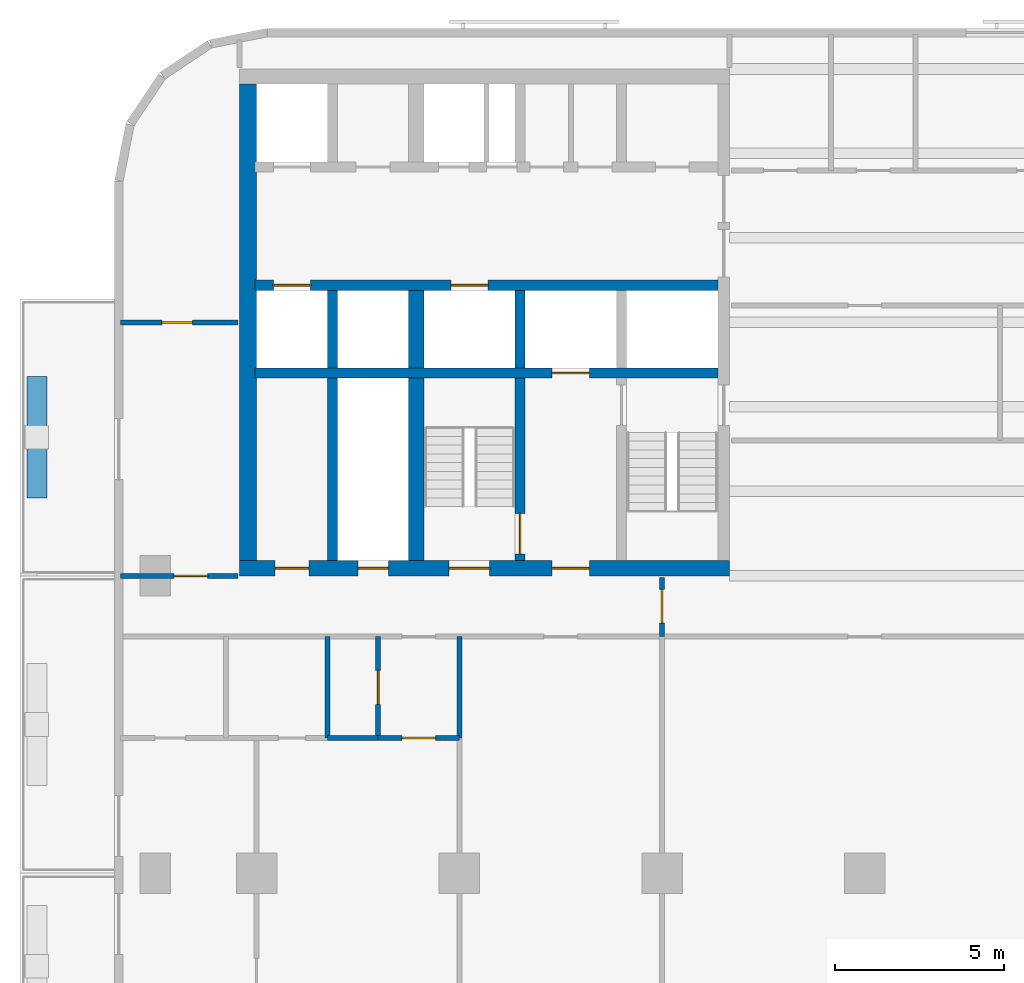
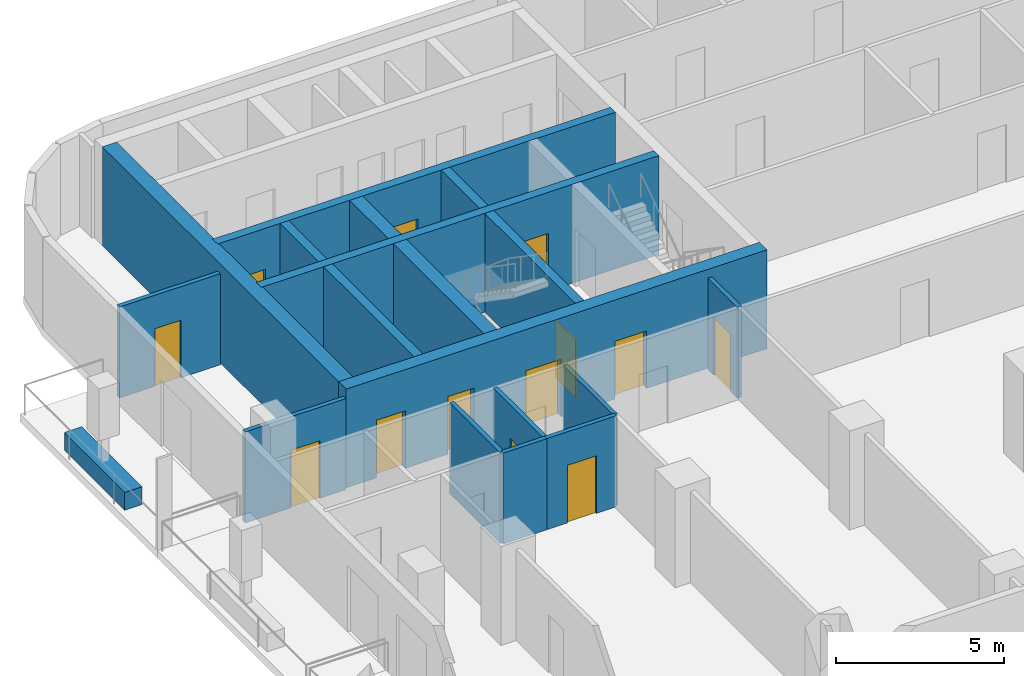
# One storey, part 3 of 11: 19 walls, 13 doors, 13 openings.
"""IFC4 building model written with IfcOpenShell, lengths in metres."""

from ifc_helpers import new_model, si_unit, direction, frame, frame_2d, origin, place, context, subcontext, project, spatial, rectangle, extrude, material, layer, layer_set, type_object, element, fill, save


model = new_model("IFC4")

# Units and contexts
model_context = context("Model", 3, precision=1e-05, world=origin(), true_north=direction((0.0, 1.0)))
body_context = subcontext(model_context, "Body", "Model", "MODEL_VIEW")
ifc_project = project(units=[si_unit("LENGTHUNIT", "METRE"), si_unit("AREAUNIT", "SQUARE_METRE"), si_unit("VOLUMEUNIT", "CUBIC_METRE"), si_unit("PLANEANGLEUNIT", "RADIAN"), si_unit("MASSUNIT", "GRAM", prefix="KILO")], contexts=[model_context])

# Site, building, storey
site_placement = place(None, origin())
site = spatial("IfcSite", under=ifc_project, at=site_placement, CompositionType="ELEMENT")
building_placement = place(site_placement, origin())
building = spatial("IfcBuilding", under=site, at=building_placement, Name="Torana Hotel and Residences", CompositionType="ELEMENT")
storey_placement = place(building_placement, frame((0.0, 0.0, 120.0)))
storey = spatial("IfcBuildingStorey", under=building, at=storey_placement, Name="L30", CompositionType="ELEMENT", Elevation=120.0)

# Wall, openings, doors
ifc_material_1 = material(Name="Concrete C70/85", Category="concrete")
ifc_layer_1 = layer(ifc_material_1, 0.300048828125)
ifc_layer_set_1 = layer_set([ifc_layer_1], Name="CORE WALL 300 C70/85")
wall_type_1 = type_object("IfcWallType", Name="CORE WALL 300 C70/85", PredefinedType="SHEAR", material=ifc_layer_set_1)
wall_1_placement = place(storey_placement, frame((-24.050048828125, -6.39990234375, 0.0), z_axis=(0.0, 0.0, 1.0), x_axis=(1.0, 0.0, 0.0)))
wall_1 = element("IfcWall", 1, at=wall_1_placement, inside=storey, type_object=wall_type_1, Name="Core wall W row-S", PredefinedType="SHEAR", context=body_context, shape_type="SweptSolid", body=[
    extrude(rectangle(XDim=13.699951171875, YDim=0.300048828125, at=frame_2d((6.85009765625, 0.0))), origin(), (0.0, 0.0, 1.0), 3.60009765625),
])
opening_1_placement = place(wall_1_placement, frame((0.550048828125, 0.0, 0.0)))
opening_1 = element("IfcOpeningElement", 2, at=opening_1_placement, cuts=wall_1, Name="Opening LD", PredefinedType="OPENING", context=body_context, shape_type="SweptSolid", body=[
    extrude(rectangle(XDim=1.10009765625, YDim=2.10009765625, at=frame_2d((0.550048828125, 1.050048828125))), frame((0.0, 0.159912109375, 0.0), z_axis=(0.0, -1.0, 0.0), x_axis=(1.0, 0.0, 0.0)), (0.0, 0.0, 1.0), 0.320068359375),
])
opening_2_placement = place(wall_1_placement, frame((5.800048828125, 0.0, 0.0)))
opening_2 = element("IfcOpeningElement", 3, at=opening_2_placement, cuts=wall_1, Name="Opening LD", PredefinedType="OPENING", context=body_context, shape_type="SweptSolid", body=[
    extrude(rectangle(XDim=1.10009765625, YDim=2.10009765625, at=frame_2d((0.550048828125, 1.050048828125))), frame((0.0, 0.159912109375, 0.0), z_axis=(0.0, -1.0, 0.0), x_axis=(1.0, 0.0, 0.0)), (0.0, 0.0, 1.0), 0.320068359375),
])
ifc_material_2 = material(Name="Stainless steel 316", Category="steel")
door_type_1 = type_object("IfcDoorType", Name="LIFT LANDING DOOR LD 1100x2100", OperationType="DOUBLE_DOOR_SLIDING", PredefinedType="USERDEFINED", material=ifc_material_2)
door_1_placement = place(opening_1_placement, origin())
door_1 = element("IfcDoor", 4, at=door_1_placement, inside=storey, type_object=door_type_1, Name="Lift landing door M2 L30", ObjectType="LIFT LANDING DOOR", OperationType="DOUBLE_DOOR_SLIDING", OverallHeight=2.10009765625, OverallWidth=1.10009765625, PredefinedType="USERDEFINED", context=body_context, shape_type="SweptSolid", body=[
    extrude(rectangle(XDim=1.10009765625, YDim=2.10009765625, at=frame_2d((0.550048828125, 1.050048828125))), frame((0.0, 0.02490234375, 0.0), z_axis=(0.0, -1.0, 0.0), x_axis=(1.0, 0.0, 0.0)), (0.0, 0.0, 1.0), 0.050048828125),
])
fill(opening_1, door_1)
door_2_placement = place(opening_2_placement, origin())
door_2 = element("IfcDoor", 5, at=door_2_placement, inside=storey, type_object=door_type_1, Name="Lift landing door SV1 L30", ObjectType="LIFT LANDING DOOR", OperationType="DOUBLE_DOOR_SLIDING", OverallHeight=2.10009765625, OverallWidth=1.10009765625, PredefinedType="USERDEFINED", context=body_context, shape_type="SweptSolid", body=[
    extrude(rectangle(XDim=1.10009765625, YDim=2.10009765625, at=frame_2d((0.550048828125, 1.050048828125))), frame((0.0, 0.02490234375, 0.0), z_axis=(0.0, -1.0, 0.0), x_axis=(1.0, 0.0, 0.0)), (0.0, 0.0, 1.0), 0.050048828125),
])
fill(opening_2, door_2)

# Wall, opening, door
wall_2_placement = place(storey_placement, frame((-24.050048828125, -9.0, 0.0), z_axis=(0.0, 0.0, 1.0), x_axis=(1.0, 0.0, 0.0)))
wall_2 = element("IfcWall", 6, at=wall_2_placement, inside=storey, type_object=wall_type_1, Name="Core wall W band", PredefinedType="SHEAR", context=body_context, shape_type="SweptSolid", body=[
    extrude(rectangle(XDim=13.699951171875, YDim=0.300048828125, at=frame_2d((6.85009765625, 0.0))), origin(), (0.0, 0.0, 1.0), 3.60009765625),
])
opening_3_placement = place(wall_2_placement, frame((8.800048828125, 0.0, 0.0)))
opening_3 = element("IfcOpeningElement", 7, at=opening_3_placement, cuts=wall_2, Name="Opening LD", PredefinedType="OPENING", context=body_context, shape_type="SweptSolid", body=[
    extrude(rectangle(XDim=1.10009765625, YDim=2.10009765625, at=frame_2d((0.550048828125, 1.050048828125))), frame((0.0, 0.159912109375, 0.0), z_axis=(0.0, -1.0, 0.0), x_axis=(1.0, 0.0, 0.0)), (0.0, 0.0, 1.0), 0.320068359375),
])
door_3_placement = place(opening_3_placement, origin())
door_3 = element("IfcDoor", 8, at=door_3_placement, inside=storey, type_object=door_type_1, Name="Lift landing door FF1 L30", ObjectType="LIFT LANDING DOOR", OperationType="DOUBLE_DOOR_SLIDING", OverallHeight=2.10009765625, OverallWidth=1.10009765625, PredefinedType="USERDEFINED", context=body_context, shape_type="SweptSolid", body=[
    extrude(rectangle(XDim=1.10009765625, YDim=2.10009765625, at=frame_2d((0.550048828125, 1.050048828125))), frame((0.0, 0.02490234375, 0.0), z_axis=(0.0, -1.0, 0.0), x_axis=(1.0, 0.0, 0.0)), (0.0, 0.0, 1.0), 0.050048828125),
])
fill(opening_3, door_3)

# Wall
wall_3_placement = place(storey_placement, frame((-16.199951171875, -8.85009765625, 0.0), z_axis=(0.0, 0.0, 1.0), x_axis=(0.0, 1.0, 0.0)))
element("IfcWall", 9, at=wall_3_placement, inside=storey, type_object=wall_type_1, Name="Core wall W x6.05-S", PredefinedType="SHEAR", context=body_context, shape_type="SweptSolid", body=[
    extrude(rectangle(XDim=2.300048828125, YDim=0.300048828125, at=frame_2d((1.14990234375, 0.0))), origin(), (0.0, 0.0, 1.0), 3.60009765625),
])

# Wall, opening, door
wall_4_placement = place(storey_placement, frame((-16.199951171875, -14.550048828125, 0.0), z_axis=(0.0, 0.0, 1.0), x_axis=(0.0, 1.0, 0.0)))
wall_4 = element("IfcWall", 10, at=wall_4_placement, inside=storey, type_object=wall_type_1, Name="Core wall W x6.05-band", PredefinedType="SHEAR", context=body_context, shape_type="SweptSolid", body=[
    extrude(rectangle(XDim=5.400146484375, YDim=0.300048828125, at=frame_2d((2.7001953125, 0.0))), origin(), (0.0, 0.0, 1.0), 3.60009765625),
])
opening_4_placement = place(wall_4_placement, frame((0.199951171875, 0.0, 0.0)))
opening_4 = element("IfcOpeningElement", 11, at=opening_4_placement, cuts=wall_4, Name="Opening L30-15", PredefinedType="OPENING", context=body_context, shape_type="SweptSolid", body=[
    extrude(rectangle(XDim=1.199951171875, YDim=2.10009765625, at=frame_2d((0.60009765625, 1.050048828125))), frame((0.0, 0.159912109375, 0.0), z_axis=(0.0, -1.0, 0.0), x_axis=(1.0, 0.0, 0.0)), (0.0, 0.0, 1.0), 0.320068359375),
])
ifc_material_3 = material(Name="Steel S235", Category="steel")
door_type_2 = type_object("IfcDoorType", Name="STAIR FIRE DOOR D3 1200x2100", OperationType="SINGLE_SWING_LEFT", PredefinedType="DOOR", material=ifc_material_3)
door_4_placement = place(opening_4_placement, origin())
door_4 = element("IfcDoor", 12, at=door_4_placement, inside=storey, type_object=door_type_2, Name="Stair-B-lobby door L30", OperationType="SINGLE_SWING_RIGHT", OverallHeight=2.10009765625, OverallWidth=1.199951171875, PredefinedType="DOOR", context=body_context, shape_type="SweptSolid", body=[
    extrude(rectangle(XDim=1.199951171875, YDim=2.10009765625, at=frame_2d((0.60009765625, 1.050048828125))), frame((0.0, 0.02490234375, 0.0), z_axis=(0.0, -1.0, 0.0), x_axis=(1.0, 0.0, 0.0)), (0.0, 0.0, 1.0), 0.050048828125),
])
fill(opening_4, door_4)

# Walls
wall_5_placement = place(storey_placement, frame((-21.75, -8.85009765625, 0.0), z_axis=(0.0, 0.0, 1.0), x_axis=(0.0, 1.0, 0.0)))
element("IfcWall", 13, at=wall_5_placement, inside=storey, type_object=wall_type_1, Name="Core wall W mm-S", PredefinedType="SHEAR", context=body_context, shape_type="SweptSolid", body=[
    extrude(rectangle(XDim=2.300048828125, YDim=0.300048828125, at=frame_2d((1.14990234375, 0.0))), origin(), (0.0, 0.0, 1.0), 3.60009765625),
])
wall_6_placement = place(storey_placement, frame((-21.75, -14.550048828125, 0.0), z_axis=(0.0, 0.0, 1.0), x_axis=(0.0, 1.0, 0.0)))
element("IfcWall", 14, at=wall_6_placement, inside=storey, type_object=wall_type_1, Name="Core wall W mm-band", PredefinedType="SHEAR", context=body_context, shape_type="SweptSolid", body=[
    extrude(rectangle(XDim=5.400146484375, YDim=0.300048828125, at=frame_2d((2.7001953125, 0.0))), origin(), (0.0, 0.0, 1.0), 3.60009765625),
])

# Wall, openings, doors
ifc_material_4 = material(Name="Concrete C70/85", Category="concrete")
ifc_layer_2 = layer(ifc_material_4, 0.449951171875)
ifc_layer_set_2 = layer_set([ifc_layer_2], Name="CORE WALL 450 C70/85")
wall_type_2 = type_object("IfcWallType", Name="CORE WALL 450 C70/85", PredefinedType="SHEAR", material=ifc_layer_set_2)
wall_7_placement = place(storey_placement, frame((-24.5, -14.77490234375, 0.0), z_axis=(0.0, 0.0, 1.0), x_axis=(1.0, 0.0, 0.0)))
wall_7 = element("IfcWall", 15, at=wall_7_placement, inside=storey, type_object=wall_type_2, Name="Core wall W front", PredefinedType="SHEAR", context=body_context, shape_type="SweptSolid", body=[
    extrude(rectangle(XDim=14.5, YDim=0.449951171875, at=frame_2d((7.25, 0.0))), origin(), (0.0, 0.0, 1.0), 3.60009765625),
])
opening_5_placement = place(wall_7_placement, frame((6.199951171875, 0.0, 0.0)))
opening_5 = element("IfcOpeningElement", 16, at=opening_5_placement, cuts=wall_7, Name="Opening L30-04", PredefinedType="OPENING", context=body_context, shape_type="SweptSolid", body=[
    extrude(rectangle(XDim=1.199951171875, YDim=2.10009765625, at=frame_2d((0.60009765625, 1.050048828125))), frame((0.0, 0.23486328125, 0.0), z_axis=(0.0, -1.0, 0.0), x_axis=(1.0, 0.0, 0.0)), (0.0, 0.0, 1.0), 0.469970703125),
])
opening_6_placement = place(wall_7_placement, frame((9.25, 0.0, 0.0)))
opening_6 = element("IfcOpeningElement", 17, at=opening_6_placement, cuts=wall_7, Name="Opening L30-05", PredefinedType="OPENING", context=body_context, shape_type="SweptSolid", body=[
    extrude(rectangle(XDim=1.10009765625, YDim=2.10009765625, at=frame_2d((0.550048828125, 1.050048828125))), frame((0.0, 0.23486328125, 0.0), z_axis=(0.0, -1.0, 0.0), x_axis=(1.0, 0.0, 0.0)), (0.0, 0.0, 1.0), 0.469970703125),
])
opening_7_placement = place(wall_7_placement, frame((3.5, 0.0, 0.0)))
opening_7 = element("IfcOpeningElement", 18, at=opening_7_placement, cuts=wall_7, Name="Opening L30-06", PredefinedType="OPENING", context=body_context, shape_type="SweptSolid", body=[
    extrude(rectangle(XDim=0.89990234375, YDim=2.10009765625, at=frame_2d((0.449951171875, 1.050048828125))), frame((0.0, 0.23486328125, 0.0), z_axis=(0.0, -1.0, 0.0), x_axis=(1.0, 0.0, 0.0)), (0.0, 0.0, 1.0), 0.469970703125),
])
opening_8_placement = place(wall_7_placement, frame((1.050048828125, 0.0, 0.0)))
opening_8 = element("IfcOpeningElement", 19, at=opening_8_placement, cuts=wall_7, Name="Opening L30-07", PredefinedType="OPENING", context=body_context, shape_type="SweptSolid", body=[
    extrude(rectangle(XDim=1.0, YDim=2.10009765625, at=frame_2d((0.5, 1.050048828125))), frame((0.0, 0.23486328125, 0.0), z_axis=(0.0, -1.0, 0.0), x_axis=(1.0, 0.0, 0.0)), (0.0, 0.0, 1.0), 0.469970703125),
])
ifc_material_5 = material(Name="Steel S235", Category="steel")
door_type_3 = type_object("IfcDoorType", Name="CORE ROOM FIRE DOOR D14 1000x2100", OperationType="SINGLE_SWING_LEFT", PredefinedType="DOOR", material=ifc_material_5)
door_5_placement = place(opening_8_placement, origin())
door_5 = element("IfcDoor", 20, at=door_5_placement, inside=storey, type_object=door_type_3, Name="M-Room door L30", OperationType="SINGLE_SWING_RIGHT", OverallHeight=2.10009765625, OverallWidth=1.0, PredefinedType="DOOR", context=body_context, shape_type="SweptSolid", body=[
    extrude(rectangle(XDim=1.0, YDim=2.10009765625, at=frame_2d((0.5, 1.050048828125))), frame((0.0, 0.02490234375, 0.0), z_axis=(0.0, -1.0, 0.0), x_axis=(1.0, 0.0, 0.0)), (0.0, 0.0, 1.0), 0.050048828125),
])
fill(opening_8, door_5)
ifc_material_6 = material(Name="Steel S235", Category="steel")
door_type_4 = type_object("IfcDoorType", Name="FIRE-FIGHTING LOBBY DOOR D8 1100x2100", OperationType="SINGLE_SWING_LEFT", PredefinedType="DOOR", material=ifc_material_6)
door_6_placement = place(opening_6_placement, origin())
door_6 = element("IfcDoor", 21, at=door_6_placement, inside=storey, type_object=door_type_4, Name="FF-lobby door L30", OperationType="SINGLE_SWING_RIGHT", OverallHeight=2.10009765625, OverallWidth=1.10009765625, PredefinedType="DOOR", context=body_context, shape_type="SweptSolid", body=[
    extrude(rectangle(XDim=1.10009765625, YDim=2.10009765625, at=frame_2d((0.550048828125, 1.050048828125))), frame((0.0, 0.02490234375, 0.0), z_axis=(0.0, -1.0, 0.0), x_axis=(1.0, 0.0, 0.0)), (0.0, 0.0, 1.0), 0.050048828125),
])
fill(opening_6, door_6)
ifc_material_7 = material(Name="Steel S235", Category="steel")
door_type_5 = type_object("IfcDoorType", Name="RISER ACCESS DOOR D5 900x2100", OperationType="SINGLE_SWING_LEFT", PredefinedType="DOOR", material=ifc_material_7)
door_7_placement = place(opening_7_placement, origin())
door_7 = element("IfcDoor", 22, at=door_7_placement, inside=storey, type_object=door_type_5, Name="M-Riser door L30", OperationType="SINGLE_SWING_RIGHT", OverallHeight=2.10009765625, OverallWidth=0.89990234375, PredefinedType="DOOR", context=body_context, shape_type="SweptSolid", body=[
    extrude(rectangle(XDim=0.89990234375, YDim=2.10009765625, at=frame_2d((0.449951171875, 1.050048828125))), frame((0.0, 0.02490234375, 0.0), z_axis=(0.0, -1.0, 0.0), x_axis=(1.0, 0.0, 0.0)), (0.0, 0.0, 1.0), 0.050048828125),
])
fill(opening_7, door_7)
door_8_placement = place(opening_5_placement, origin())
door_8 = element("IfcDoor", 23, at=door_8_placement, inside=storey, type_object=door_type_2, Name="Stair-B door L30", OperationType="SINGLE_SWING_RIGHT", OverallHeight=2.10009765625, OverallWidth=1.199951171875, PredefinedType="DOOR", context=body_context, shape_type="SweptSolid", body=[
    extrude(rectangle(XDim=1.199951171875, YDim=2.10009765625, at=frame_2d((0.60009765625, 1.050048828125))), frame((0.0, 0.02490234375, 0.0), z_axis=(0.0, -1.0, 0.0), x_axis=(1.0, 0.0, 0.0)), (0.0, 0.0, 1.0), 0.050048828125),
])
fill(opening_5, door_8)

# Walls
wall_8_placement = place(storey_placement, frame((-19.27490234375, -8.85009765625, 0.0), z_axis=(0.0, 0.0, 1.0), x_axis=(0.0, 1.0, 0.0)))
element("IfcWall", 24, at=wall_8_placement, inside=storey, type_object=wall_type_2, Name="Core wall W hm-S", PredefinedType="SHEAR", context=body_context, shape_type="SweptSolid", body=[
    extrude(rectangle(XDim=2.300048828125, YDim=0.449951171875, at=frame_2d((1.14990234375, 0.0))), origin(), (0.0, 0.0, 1.0), 3.60009765625),
])
wall_9_placement = place(storey_placement, frame((-19.27490234375, -14.550048828125, 0.0), z_axis=(0.0, 0.0, 1.0), x_axis=(0.0, 1.0, 0.0)))
element("IfcWall", 25, at=wall_9_placement, inside=storey, type_object=wall_type_2, Name="Core wall W hm-band", PredefinedType="SHEAR", context=body_context, shape_type="SweptSolid", body=[
    extrude(rectangle(XDim=5.400146484375, YDim=0.449951171875, at=frame_2d((2.7001953125, 0.0))), origin(), (0.0, 0.0, 1.0), 3.60009765625),
])
ifc_material_8 = material(Name="Concrete C70/85", Category="concrete")
ifc_layer_3 = layer(ifc_material_8, 0.5)
ifc_layer_set_3 = layer_set([ifc_layer_3], Name="CORE WALL 500 C70/85")
wall_type_3 = type_object("IfcWallType", Name="CORE WALL 500 C70/85", PredefinedType="SHEAR", material=ifc_layer_set_3)
wall_10_placement = place(storey_placement, frame((-24.25, -14.550048828125, 0.0), z_axis=(0.0, 0.0, 1.0), x_axis=(0.0, 1.0, 0.0)))
element("IfcWall", 26, at=wall_10_placement, inside=storey, type_object=wall_type_3, Name="Core wall W outer", PredefinedType="SHEAR", context=body_context, shape_type="SweptSolid", body=[
    extrude(rectangle(XDim=14.10009765625, YDim=0.5, at=frame_2d((7.050048828125, 0.0))), origin(), (0.0, 0.0, 1.0), 3.60009765625),
])

# Wall, opening, door
ifc_material_9 = material(Name="Gypsum plaster")
ifc_layer_4 = layer(ifc_material_9, 0.014892578125, Name="Plaster", Category="finish")
ifc_material_10 = material(Name="Concrete blockwork", Category="masonry")
ifc_layer_5 = layer(ifc_material_10, 0.1201171875, Name="Blockwork", Category="structure")
ifc_layer_6 = layer(ifc_material_9, 0.014892578125, Name="Plaster", Category="finish")
ifc_layer_set_4 = layer_set([ifc_layer_4, ifc_layer_5, ifc_layer_6], Name="FIRE PARTITION 150 BLOCKWORK")
wall_type_4 = type_object("IfcWallType", Name="FIRE PARTITION 150 BLOCKWORK", PredefinedType="PARTITIONING", material=ifc_layer_set_4)
wall_11_placement = place(storey_placement, frame((-12.0, -16.800048828125, 0.0), z_axis=(0.0, 0.0, 1.0), x_axis=(0.0, 1.0, 0.0)))
wall_11 = element("IfcWall", 27, at=wall_11_placement, inside=storey, type_object=wall_type_4, Name="Partition L30", PredefinedType="PARTITIONING", context=body_context, shape_type="SweptSolid", body=[
    extrude(rectangle(XDim=1.75, YDim=0.14990234375, at=frame_2d((0.875, 0.0))), origin(), (0.0, 0.0, 1.0), 3.320068359375),
])
opening_9_placement = place(wall_11_placement, frame((0.39990234375, 0.0, 0.0)))
opening_9 = element("IfcOpeningElement", 28, at=opening_9_placement, cuts=wall_11, Name="Opening L30-31", PredefinedType="OPENING", context=body_context, shape_type="SweptSolid", body=[
    extrude(rectangle(XDim=1.0, YDim=2.10009765625, at=frame_2d((0.5, 1.050048828125))), frame((0.0, 0.0849609375, 0.0), z_axis=(0.0, -1.0, 0.0), x_axis=(1.0, 0.0, 0.0)), (0.0, 0.0, 1.0), 0.169921875),
])
ifc_material_11 = material(Name="Steel S235", Category="steel")
door_type_6 = type_object("IfcDoorType", Name="ENTRY FIRE DOOR D6 1000x2100", OperationType="SINGLE_SWING_LEFT", PredefinedType="DOOR", material=ifc_material_11)
door_9_placement = place(opening_9_placement, origin())
door_9 = element("IfcDoor", 29, at=door_9_placement, inside=storey, type_object=door_type_6, Name="Door L30", OperationType="SINGLE_SWING_RIGHT", OverallHeight=2.10009765625, OverallWidth=1.0, PredefinedType="DOOR", context=body_context, shape_type="SweptSolid", body=[
    extrude(rectangle(XDim=1.0, YDim=2.10009765625, at=frame_2d((0.5, 1.050048828125))), frame((0.0, 0.02490234375, 0.0), z_axis=(0.0, -1.0, 0.0), x_axis=(1.0, 0.0, 0.0)), (0.0, 0.0, 1.0), 0.050048828125),
])
fill(opening_9, door_9)

# Wall
wall_12_placement = place(storey_placement, frame((-18.0, -19.800048828125, 0.0), z_axis=(0.0, 0.0, 1.0), x_axis=(0.0, 1.0, 0.0)))
element("IfcWall", 30, at=wall_12_placement, inside=storey, type_object=wall_type_4, Name="Partition L30", PredefinedType="PARTITIONING", context=body_context, shape_type="SweptSolid", body=[
    extrude(rectangle(XDim=3.0, YDim=0.14990234375, at=frame_2d((1.5, 0.0))), origin(), (0.0, 0.0, 1.0), 3.320068359375),
])

# Wall, opening, door
wall_13_placement = place(storey_placement, frame((-20.39990234375, -19.800048828125, 0.0), z_axis=(0.0, 0.0, 1.0), x_axis=(0.0, 1.0, 0.0)))
wall_13 = element("IfcWall", 31, at=wall_13_placement, inside=storey, type_object=wall_type_4, Name="Partition L30", PredefinedType="PARTITIONING", context=body_context, shape_type="SweptSolid", body=[
    extrude(rectangle(XDim=3.0, YDim=0.14990234375, at=frame_2d((1.5, 0.0))), origin(), (0.0, 0.0, 1.0), 3.320068359375),
])
opening_10_placement = place(wall_13_placement, frame((1.0, 0.0, 0.0)))
opening_10 = element("IfcOpeningElement", 32, at=opening_10_placement, cuts=wall_13, Name="Opening L30-52", PredefinedType="OPENING", context=body_context, shape_type="SweptSolid", body=[
    extrude(rectangle(XDim=1.0, YDim=2.10009765625, at=frame_2d((0.5, 1.050048828125))), frame((0.0, 0.0849609375, 0.0), z_axis=(0.0, -1.0, 0.0), x_axis=(1.0, 0.0, 0.0)), (0.0, 0.0, 1.0), 0.169921875),
])
door_10_placement = place(opening_10_placement, origin())
door_10 = element("IfcDoor", 33, at=door_10_placement, inside=storey, type_object=door_type_6, Name="Door L30", OperationType="SINGLE_SWING_RIGHT", OverallHeight=2.10009765625, OverallWidth=1.0, PredefinedType="DOOR", context=body_context, shape_type="SweptSolid", body=[
    extrude(rectangle(XDim=1.0, YDim=2.10009765625, at=frame_2d((0.5, 1.050048828125))), frame((0.0, 0.02490234375, 0.0), z_axis=(0.0, -1.0, 0.0), x_axis=(1.0, 0.0, 0.0)), (0.0, 0.0, 1.0), 0.050048828125),
])
fill(opening_10, door_10)

wall_14_placement = place(storey_placement, frame((-20.39990234375, -19.800048828125, 0.0), z_axis=(0.0, 0.0, 1.0), x_axis=(1.0, 0.0, 0.0)))
wall_14 = element("IfcWall", 34, at=wall_14_placement, inside=storey, type_object=wall_type_4, Name="Partition L30", PredefinedType="PARTITIONING", context=body_context, shape_type="SweptSolid", body=[
    extrude(rectangle(XDim=2.39990234375, YDim=0.14990234375, at=frame_2d((1.199951171875, 0.0))), origin(), (0.0, 0.0, 1.0), 3.320068359375),
])
opening_11_placement = place(wall_14_placement, frame((0.699951171875, 0.0, 0.0)))
opening_11 = element("IfcOpeningElement", 35, at=opening_11_placement, cuts=wall_14, Name="Opening L30-53", PredefinedType="OPENING", context=body_context, shape_type="SweptSolid", body=[
    extrude(rectangle(XDim=1.0, YDim=2.10009765625, at=frame_2d((0.5, 1.050048828125))), frame((0.0, 0.0849609375, 0.0), z_axis=(0.0, -1.0, 0.0), x_axis=(1.0, 0.0, 0.0)), (0.0, 0.0, 1.0), 0.169921875),
])
door_11_placement = place(opening_11_placement, frame((0.5, 0.0, 0.0), z_axis=(0.0, 0.0, 1.0), x_axis=(-1.0, 0.0, 0.0)))
door_11 = element("IfcDoor", 36, at=door_11_placement, inside=storey, type_object=door_type_6, Name="Door L30", OperationType="SINGLE_SWING_RIGHT", OverallHeight=2.10009765625, OverallWidth=1.0, PredefinedType="DOOR", context=body_context, shape_type="SweptSolid", body=[
    extrude(rectangle(XDim=1.0, YDim=2.10009765625, at=frame_2d((0.0, 1.050048828125))), frame((0.0, -0.02490234375, 0.0), z_axis=(0.0, 1.0, 0.0), x_axis=(-1.0, 0.0, 0.0)), (0.0, 0.0, 1.0), 0.050048828125),
])
fill(opening_11, door_11)

wall_15_placement = place(storey_placement, frame((-28.02001953125, -15.0, 0.0), z_axis=(0.0, 0.0, 1.0), x_axis=(1.0, 0.0, 0.0)))
wall_15 = element("IfcWall", 37, at=wall_15_placement, inside=storey, type_object=wall_type_4, Name="Partition L30", PredefinedType="PARTITIONING", context=body_context, shape_type="SweptSolid", body=[
    extrude(rectangle(XDim=3.469970703125, YDim=0.14990234375, at=frame_2d((1.73486328125, 0.0))), origin(), (0.0, 0.0, 1.0), 3.320068359375),
])
opening_12_placement = place(wall_15_placement, frame((1.570068359375, 0.0, 0.0)))
opening_12 = element("IfcOpeningElement", 38, at=opening_12_placement, cuts=wall_15, Name="Opening L30-34", PredefinedType="OPENING", context=body_context, shape_type="SweptSolid", body=[
    extrude(rectangle(XDim=1.0, YDim=2.10009765625, at=frame_2d((0.5, 1.050048828125))), frame((0.0, 0.0849609375, 0.0), z_axis=(0.0, -1.0, 0.0), x_axis=(1.0, 0.0, 0.0)), (0.0, 0.0, 1.0), 0.169921875),
])
door_12_placement = place(opening_12_placement, origin())
door_12 = element("IfcDoor", 39, at=door_12_placement, inside=storey, type_object=door_type_3, Name="Door L30", OperationType="SINGLE_SWING_RIGHT", OverallHeight=2.10009765625, OverallWidth=1.0, PredefinedType="DOOR", context=body_context, shape_type="SweptSolid", body=[
    extrude(rectangle(XDim=1.0, YDim=2.10009765625, at=frame_2d((0.5, 1.050048828125))), frame((0.0, 0.02490234375, 0.0), z_axis=(0.0, -1.0, 0.0), x_axis=(1.0, 0.0, 0.0)), (0.0, 0.0, 1.0), 0.050048828125),
])
fill(opening_12, door_12)

ifc_material_12 = material(Name="Gypsum plasterboard")
ifc_layer_7 = layer(ifc_material_12, 0.012451171875, Name="Plasterboard", Category="finish")
ifc_layer_8 = layer(ifc_material_12, 0.012451171875, Name="Plasterboard", Category="finish")
ifc_material_13 = material(Name="Steel S280GD", Category="steel")
ifc_layer_9 = layer(ifc_material_13, 0.10009765625, Name="Steel studs with mineral wool", Category="insulation")
ifc_layer_10 = layer(ifc_material_12, 0.012451171875, Name="Plasterboard", Category="finish")
ifc_layer_11 = layer(ifc_material_12, 0.012451171875, Name="Plasterboard", Category="finish")
ifc_layer_set_5 = layer_set([ifc_layer_7, ifc_layer_8, ifc_layer_9, ifc_layer_10, ifc_layer_11], Name="PARTITION 150 PLASTERBOARD")
wall_type_5 = type_object("IfcWallType", Name="PARTITION 150 PLASTERBOARD", PredefinedType="PARTITIONING", material=ifc_layer_set_5)
wall_16_placement = place(storey_placement, frame((-28.02001953125, -7.5, 0.0), z_axis=(0.0, 0.0, 1.0), x_axis=(1.0, 0.0, 0.0)))
wall_16 = element("IfcWall", 40, at=wall_16_placement, inside=storey, type_object=wall_type_5, Name="Partition L30", PredefinedType="PARTITIONING", context=body_context, shape_type="SweptSolid", body=[
    extrude(rectangle(XDim=3.469970703125, YDim=0.14990234375, at=frame_2d((1.73486328125, 0.0))), origin(), (0.0, 0.0, 1.0), 3.320068359375),
])
opening_13_placement = place(wall_16_placement, frame((1.219970703125, 0.0, 0.0)))
opening_13 = element("IfcOpeningElement", 41, at=opening_13_placement, cuts=wall_16, Name="Opening L30-62", PredefinedType="OPENING", context=body_context, shape_type="SweptSolid", body=[
    extrude(rectangle(XDim=0.89990234375, YDim=2.10009765625, at=frame_2d((0.449951171875, 1.050048828125))), frame((0.0, 0.0849609375, 0.0), z_axis=(0.0, -1.0, 0.0), x_axis=(1.0, 0.0, 0.0)), (0.0, 0.0, 1.0), 0.169921875),
])
ifc_material_14 = material(Name="Timber door, oiled ash", Category="wood")
door_type_7 = type_object("IfcDoorType", Name="ROOM DOOR D7 900x2100", OperationType="SINGLE_SWING_LEFT", PredefinedType="DOOR", material=ifc_material_14)
door_13_placement = place(opening_13_placement, origin())
door_13 = element("IfcDoor", 42, at=door_13_placement, inside=storey, type_object=door_type_7, Name="Door L30", OperationType="SINGLE_SWING_RIGHT", OverallHeight=2.10009765625, OverallWidth=0.89990234375, PredefinedType="DOOR", context=body_context, shape_type="SweptSolid", body=[
    extrude(rectangle(XDim=0.89990234375, YDim=2.10009765625, at=frame_2d((0.449951171875, 1.050048828125))), frame((0.0, 0.02490234375, 0.0), z_axis=(0.0, -1.0, 0.0), x_axis=(1.0, 0.0, 0.0)), (0.0, 0.0, 1.0), 0.050048828125),
])
fill(opening_13, door_13)

# Walls
ifc_material_15 = material(Name="Concrete C40/50 precast", Category="concrete")
ifc_layer_12 = layer(ifc_material_15, 0.10009765625, Name="Planter shell", Category="structure")
ifc_material_16 = material(Name="Root resistant membrane")
ifc_layer_13 = layer(ifc_material_16, 0.00390625, Name="Waterproofing membrane", Category="membrane")
ifc_material_17 = material(Name="Drainage board with filter fleece")
ifc_layer_14 = layer(ifc_material_17, 0.02001953125, Name="Drainage board", Category="drainage")
ifc_material_18 = material(Name="Growing medium")
ifc_layer_15 = layer(ifc_material_18, 0.47607421875, Name="Planting substrate", Category="soil")
ifc_layer_set_6 = layer_set([ifc_layer_12, ifc_layer_13, ifc_layer_14, ifc_layer_15], Name="PL1 BALCONY PLANTER 600")
wall_type_6 = type_object("IfcWallType", Name="PL1 BALCONY PLANTER 600", PredefinedType="USERDEFINED", material=ifc_layer_set_6)
wall_17_placement = place(storey_placement, frame((-30.5, -12.699951171875, 0.0), z_axis=(0.0, 0.0, 1.0), x_axis=(0.0, 1.0, 0.0)))
element("IfcWall", 43, at=wall_17_placement, inside=storey, type_object=wall_type_6, Name="Planter 11", ObjectType="PLANTER", PredefinedType="USERDEFINED", context=body_context, shape_type="SweptSolid", body=[
    extrude(rectangle(XDim=3.599853515625, YDim=0.60009765625, at=frame_2d((1.7998046875, 0.0))), origin(), (0.0, 0.0, 1.0), 0.64990234375),
])
ifc_material_19 = material(Name="Ceramic tile on adhesive")
ifc_layer_16 = layer(ifc_material_19, 0.010009765625, Name="Wall tile", Category="finish")
ifc_material_20 = material(Name="Cement render")
ifc_layer_17 = layer(ifc_material_20, 0.010009765625, Name="Render", Category="finish")
ifc_layer_18 = layer(ifc_material_10, 0.110107421875, Name="Blockwork", Category="structure")
ifc_layer_19 = layer(ifc_material_20, 0.010009765625, Name="Render", Category="finish")
ifc_layer_20 = layer(ifc_material_19, 0.010009765625, Name="Wall tile", Category="finish")
ifc_layer_set_7 = layer_set([ifc_layer_16, ifc_layer_17, ifc_layer_18, ifc_layer_19, ifc_layer_20], Name="WC PARTITION 150")
wall_type_7 = type_object("IfcWallType", Name="WC PARTITION 150", PredefinedType="PLUMBINGWALL", material=ifc_layer_set_7)
wall_18_placement = place(storey_placement, frame((-21.89990234375, -19.800048828125, 0.0), z_axis=(0.0, 0.0, 1.0), x_axis=(0.0, 1.0, 0.0)))
element("IfcWall", 44, at=wall_18_placement, inside=storey, type_object=wall_type_7, Name="Partition L30", PredefinedType="PLUMBINGWALL", context=body_context, shape_type="SweptSolid", body=[
    extrude(rectangle(XDim=3.0, YDim=0.14990234375, at=frame_2d((1.5, 0.0))), origin(), (0.0, 0.0, 1.0), 3.320068359375),
])
wall_19_placement = place(storey_placement, frame((-21.89990234375, -19.800048828125, 0.0), z_axis=(0.0, 0.0, 1.0), x_axis=(1.0, 0.0, 0.0)))
element("IfcWall", 45, at=wall_19_placement, inside=storey, type_object=wall_type_7, Name="Partition L30", PredefinedType="PLUMBINGWALL", context=body_context, shape_type="SweptSolid", body=[
    extrude(rectangle(XDim=1.5, YDim=0.14990234375, at=frame_2d((0.75, 0.0))), origin(), (0.0, 0.0, 1.0), 3.320068359375),
])

save(model, "model.ifc")
